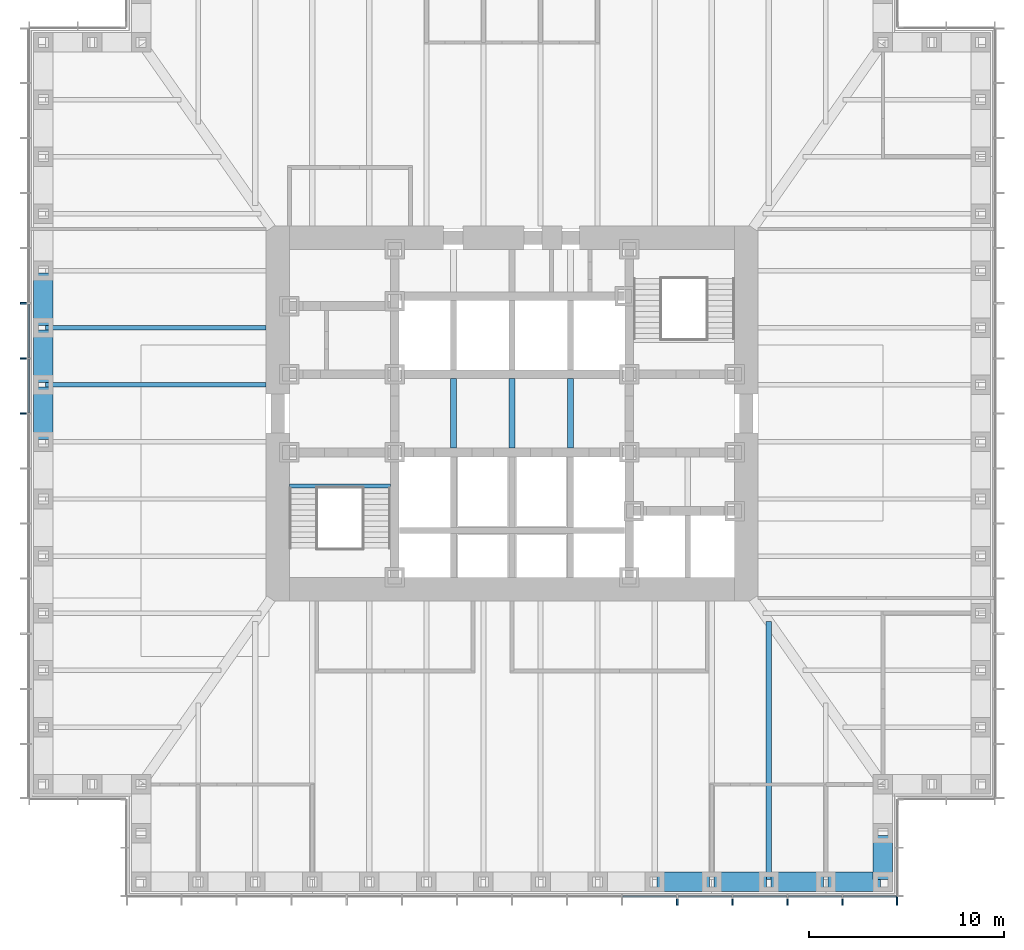
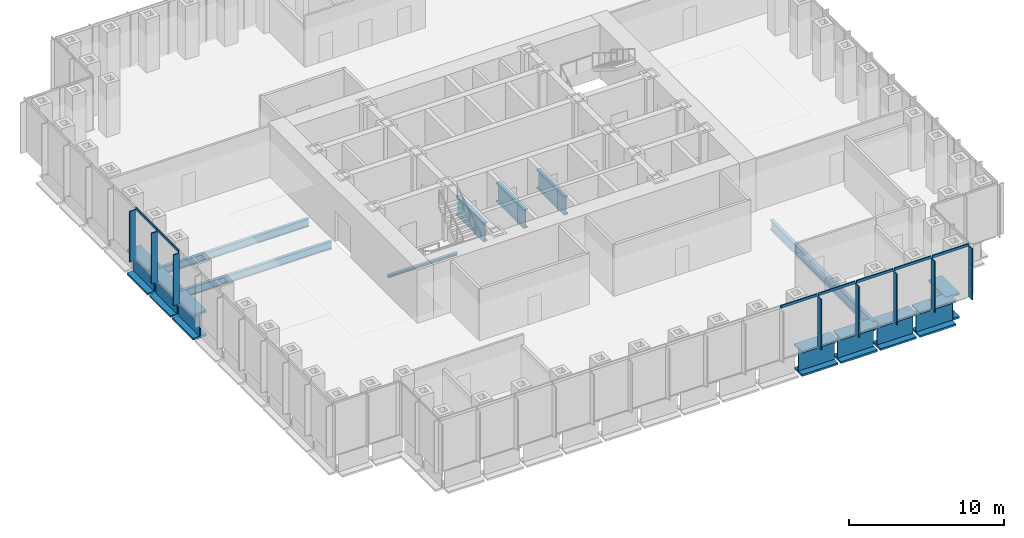
# One storey, part 3 of 16: 15 beams, 15 members, 2 elements without a shape of their own.
"""IFC4 building model written with IfcOpenShell, lengths in metres."""

from ifc_helpers import new_model, si_unit, direction, frame, origin, origin_2d, place, context, subcontext, project, spatial, rectangle, i_section, extrude, material, material_profile, profile_set, type_object, element, aggregate, save


model = new_model("IFC4")

# Units and contexts
model_context = context("Model", 3, precision=1e-05, world=origin(), true_north=direction((0.0, 1.0)))
body_context = subcontext(model_context, "Body", "Model", "MODEL_VIEW")
ifc_project = project(units=[si_unit("LENGTHUNIT", "METRE"), si_unit("AREAUNIT", "SQUARE_METRE"), si_unit("VOLUMEUNIT", "CUBIC_METRE"), si_unit("PLANEANGLEUNIT", "RADIAN"), si_unit("MASSUNIT", "GRAM", prefix="KILO")], contexts=[model_context])

# Site, building, storey
site_placement = place(None, origin())
site = spatial("IfcSite", under=ifc_project, at=site_placement, CompositionType="ELEMENT")
building_placement = place(site_placement, origin())
building = spatial("IfcBuilding", under=site, at=building_placement, Name="Daluyong Arena Tower", CompositionType="ELEMENT")
storey_placement = place(building_placement, frame((0.0, 0.0, 43.300048828125)))
storey = spatial("IfcBuildingStorey", under=building, at=storey_placement, Name="L08", CompositionType="ELEMENT", Elevation=43.300048828125)

# Curtain wall, members
ifc_material_1 = material(Name="Bronze anodised aluminium and glass", Category="aluminium")
curtain_wall_type = type_object("IfcCurtainWallType", Name="Curtain wall CW1", PredefinedType="USERDEFINED", material=ifc_material_1)
curtain_wall_1_placement = place(storey_placement, origin())
curtain_wall_1 = element("IfcCurtainWall", 1, at=curtain_wall_1_placement, inside=storey, type_object=curtain_wall_type, Name="curtain wall L08 S", ObjectType="UNITISED CURTAIN WALL", PredefinedType="USERDEFINED")
ifc_material_2 = material(Name="Bronze anodised aluminium fin", Category="aluminium")
ifc_material_profile_1 = material_profile(ifc_material_2, rectangle(XDim=0.449951171875, YDim=0.080078125, at=origin_2d()))
ifc_profile_set_1 = profile_set([ifc_material_profile_1], Name="Bronze anodised aluminium fin")
member_type_1 = type_object("IfcMemberType", Name="CW1 bronze fin 450x80", PredefinedType="MULLION", material=ifc_profile_set_1)
member_1_placement = place(storey_placement, frame((64.46435546875, 55.02490234375, 0.0), z_axis=(0.0, 0.0, 1.0), x_axis=(0.0, 1.0, 0.0)))
member_1 = element("IfcMember", 2, at=member_1_placement, type_object=member_type_1, Name="curtain wall L08 S fin 11", PredefinedType="MULLION", context=body_context, shape_type="SweptSolid", body=[
    extrude(rectangle(XDim=0.449951171875, YDim=0.080078125, at=origin_2d()), origin(), (0.0, 0.0, 1.0), 4.0),
])
member_2_placement = place(storey_placement, frame((67.28564453125, 55.02490234375, 0.0), z_axis=(0.0, 0.0, 1.0), x_axis=(0.0, 1.0, 0.0)))
member_2 = element("IfcMember", 3, at=member_2_placement, type_object=member_type_1, Name="curtain wall L08 S fin 12", PredefinedType="MULLION", context=body_context, shape_type="SweptSolid", body=[
    extrude(rectangle(XDim=0.449951171875, YDim=0.080078125, at=origin_2d()), origin(), (0.0, 0.0, 1.0), 4.0),
])
member_3_placement = place(storey_placement, frame((70.107177734375, 55.02490234375, 0.0), z_axis=(0.0, 0.0, 1.0), x_axis=(0.0, 1.0, 0.0)))
member_3 = element("IfcMember", 4, at=member_3_placement, type_object=member_type_1, Name="curtain wall L08 S fin 13", PredefinedType="MULLION", context=body_context, shape_type="SweptSolid", body=[
    extrude(rectangle(XDim=0.449951171875, YDim=0.080078125, at=origin_2d()), origin(), (0.0, 0.0, 1.0), 4.0),
])
member_4_placement = place(storey_placement, frame((72.928466796875, 55.02490234375, 0.0), z_axis=(0.0, 0.0, 1.0), x_axis=(0.0, 1.0, 0.0)))
member_4 = element("IfcMember", 5, at=member_4_placement, type_object=member_type_1, Name="curtain wall L08 S fin 14", PredefinedType="MULLION", context=body_context, shape_type="SweptSolid", body=[
    extrude(rectangle(XDim=0.449951171875, YDim=0.080078125, at=origin_2d()), origin(), (0.0, 0.0, 1.0), 4.0),
])
member_5_placement = place(storey_placement, frame((75.7099609375, 55.02490234375, 0.0), z_axis=(0.0, 0.0, 1.0), x_axis=(0.0, 1.0, 0.0)))
member_5 = element("IfcMember", 6, at=member_5_placement, type_object=member_type_1, Name="curtain wall L08 S fin 15", PredefinedType="MULLION", context=body_context, shape_type="SweptSolid", body=[
    extrude(rectangle(XDim=0.449951171875, YDim=0.080078125, at=origin_2d()), origin(), (0.0, 0.0, 1.0), 4.0),
])

curtain_wall_2_placement = place(storey_placement, origin())
curtain_wall_2 = element("IfcCurtainWall", 7, at=curtain_wall_2_placement, inside=storey, type_object=curtain_wall_type, Name="curtain wall L08 W", ObjectType="UNITISED CURTAIN WALL", PredefinedType="USERDEFINED")
member_6_placement = place(storey_placement, frame((31.02490234375, 85.642822265625, 0.0), z_axis=(0.0, 0.0, 1.0), x_axis=(1.0, 0.0, 0.0)))
member_6 = element("IfcMember", 8, at=member_6_placement, type_object=member_type_1, Name="curtain wall L08 W fin 6", PredefinedType="MULLION", context=body_context, shape_type="SweptSolid", body=[
    extrude(rectangle(XDim=0.449951171875, YDim=0.080078125, at=origin_2d()), origin(), (0.0, 0.0, 1.0), 4.0),
])
member_7_placement = place(storey_placement, frame((31.02490234375, 82.821533203125, 0.0), z_axis=(0.0, 0.0, 1.0), x_axis=(1.0, 0.0, 0.0)))
member_7 = element("IfcMember", 9, at=member_7_placement, type_object=member_type_1, Name="curtain wall L08 W fin 7", PredefinedType="MULLION", context=body_context, shape_type="SweptSolid", body=[
    extrude(rectangle(XDim=0.449951171875, YDim=0.080078125, at=origin_2d()), origin(), (0.0, 0.0, 1.0), 4.0),
])
member_8_placement = place(storey_placement, frame((31.02490234375, 80.0, 0.0), z_axis=(0.0, 0.0, 1.0), x_axis=(1.0, 0.0, 0.0)))
member_8 = element("IfcMember", 10, at=member_8_placement, type_object=member_type_1, Name="curtain wall L08 W fin 8", PredefinedType="MULLION", context=body_context, shape_type="SweptSolid", body=[
    extrude(rectangle(XDim=0.449951171875, YDim=0.080078125, at=origin_2d()), origin(), (0.0, 0.0, 1.0), 4.0),
])

# Member
ifc_material_3 = material(Name="Bronze anodised aluminium", Category="aluminium")
ifc_material_profile_2 = material_profile(ifc_material_3, rectangle(XDim=0.080078125, YDim=0.199951171875, at=origin_2d()))
ifc_profile_set_2 = profile_set([ifc_material_profile_2], Name="Bronze anodised aluminium")
member_type_2 = type_object("IfcMemberType", Name="CW1 stack transom 200x80", PredefinedType="USERDEFINED", material=ifc_profile_set_2)
member_9_placement = place(storey_placement, frame((61.682861328125, 55.25, 4.099853515625), z_axis=(1.0, 0.0, 0.0), x_axis=(0.0, 1.0, 0.0)))
member_9 = element("IfcMember", 11, at=member_9_placement, type_object=member_type_2, Name="curtain wall L08 S transom 10", ObjectType="TRANSOM", PredefinedType="USERDEFINED", context=body_context, shape_type="SweptSolid", body=[
    extrude(rectangle(XDim=0.080078125, YDim=0.199951171875, at=origin_2d()), origin(), (0.0, 0.0, 1.0), 2.741455078125),
])

member_10_placement = place(storey_placement, frame((64.50439453125, 55.25, 4.099853515625), z_axis=(1.0, 0.0, 0.0), x_axis=(0.0, 1.0, 0.0)))
member_10 = element("IfcMember", 12, at=member_10_placement, type_object=member_type_2, Name="curtain wall L08 S transom 11", ObjectType="TRANSOM", PredefinedType="USERDEFINED", context=body_context, shape_type="SweptSolid", body=[
    extrude(rectangle(XDim=0.080078125, YDim=0.199951171875, at=origin_2d()), origin(), (0.0, 0.0, 1.0), 2.7412109375),
])

member_11_placement = place(storey_placement, frame((67.32568359375, 55.25, 4.099853515625), z_axis=(1.0, 0.0, 0.0), x_axis=(0.0, 1.0, 0.0)))
member_11 = element("IfcMember", 13, at=member_11_placement, type_object=member_type_2, Name="curtain wall L08 S transom 12", ObjectType="TRANSOM", PredefinedType="USERDEFINED", context=body_context, shape_type="SweptSolid", body=[
    extrude(rectangle(XDim=0.080078125, YDim=0.199951171875, at=origin_2d()), origin(), (0.0, 0.0, 1.0), 2.741455078125),
])

member_12_placement = place(storey_placement, frame((70.147216796875, 55.25, 4.099853515625), z_axis=(1.0, 0.0, 0.0), x_axis=(0.0, 1.0, 0.0)))
member_12 = element("IfcMember", 14, at=member_12_placement, type_object=member_type_2, Name="curtain wall L08 S transom 13", ObjectType="TRANSOM", PredefinedType="USERDEFINED", context=body_context, shape_type="SweptSolid", body=[
    extrude(rectangle(XDim=0.080078125, YDim=0.199951171875, at=origin_2d()), origin(), (0.0, 0.0, 1.0), 2.741455078125),
])

member_13_placement = place(storey_placement, frame((72.968505859375, 55.25, 4.099853515625), z_axis=(1.0, 0.0, 0.0), x_axis=(0.0, 1.0, 0.0)))
member_13 = element("IfcMember", 15, at=member_13_placement, type_object=member_type_2, Name="curtain wall L08 S transom 14", ObjectType="TRANSOM", PredefinedType="USERDEFINED", context=body_context, shape_type="SweptSolid", body=[
    extrude(rectangle(XDim=0.080078125, YDim=0.199951171875, at=origin_2d()), origin(), (0.0, 0.0, 1.0), 2.701416015625),
])

aggregate(curtain_wall_1, [member_1, member_2, member_3, member_4, member_5, member_9, member_10, member_11, member_12, member_13])

member_14_placement = place(storey_placement, frame((31.25, 85.602783203125, 4.099853515625), z_axis=(0.0, -1.0, 0.0), x_axis=(1.0, 0.0, 0.0)))
member_14 = element("IfcMember", 16, at=member_14_placement, type_object=member_type_2, Name="curtain wall L08 W transom 6", ObjectType="TRANSOM", PredefinedType="USERDEFINED", context=body_context, shape_type="SweptSolid", body=[
    extrude(rectangle(XDim=0.080078125, YDim=0.199951171875, at=origin_2d()), origin(), (0.0, 0.0, 1.0), 2.741455078125),
])

member_15_placement = place(storey_placement, frame((31.25, 82.781494140625, 4.099853515625), z_axis=(0.0, -1.0, 0.0), x_axis=(1.0, 0.0, 0.0)))
member_15 = element("IfcMember", 17, at=member_15_placement, type_object=member_type_2, Name="curtain wall L08 W transom 7", ObjectType="TRANSOM", PredefinedType="USERDEFINED", context=body_context, shape_type="SweptSolid", body=[
    extrude(rectangle(XDim=0.080078125, YDim=0.199951171875, at=origin_2d()), origin(), (0.0, 0.0, 1.0), 2.741455078125),
])

aggregate(curtain_wall_2, [member_6, member_7, member_8, member_14, member_15])

# Beams
ifc_material_4 = material(Name="Steel ASTM A992 Grade 50", Category="steel")
ifc_material_profile_3 = material_profile(ifc_material_4, i_section(OverallWidth=0.22900390625, OverallDepth=0.612060546875, WebThickness=0.011962890625, FlangeThickness=0.01953125, at=origin_2d()))
ifc_profile_set_3 = profile_set([ifc_material_profile_3], Name="Steel ASTM A992 Grade 50")
beam_type_1 = type_object("IfcBeamType", Name="Floor beam W24X84", PredefinedType="BEAM", material=ifc_profile_set_3)
for number, where, z_axis, x_axis, name in (
    (18, (32.114990234375, 84.384521484375, -0.466064453125), (1.0, 0.0, 0.0), (0.0, 1.0, 0.0), "floor beam FB3"),
    (19, (32.114990234375, 81.46142578125, -0.466064453125), (1.0, 0.0, 0.0), (0.0, 1.0, 0.0), "floor beam FB3"),
):
    element("IfcBeam", number, at=place(storey_placement, frame(where, z_axis=z_axis, x_axis=x_axis)), inside=storey, type_object=beam_type_1, Name=name, PredefinedType="BEAM", context=body_context, shape_type="SweptSolid", body=[
        extrude(i_section(OverallWidth=0.22900390625, OverallDepth=0.612060546875, WebThickness=0.011962890625, FlangeThickness=0.01953125, at=origin_2d()), origin(), (0.0, 0.0, 1.0), 11.284912109375),
    ])
ifc_material_5 = material(Name="Steel ASTM A992 Grade 50", Category="steel")
ifc_material_profile_4 = material_profile(ifc_material_5, i_section(OverallWidth=0.2666015625, OverallDepth=0.761962890625, WebThickness=0.014404296875, FlangeThickness=0.021484375, at=origin_2d()))
ifc_profile_set_4 = profile_set([ifc_material_profile_4], Name="Steel ASTM A992 Grade 50")
beam_type_2 = type_object("IfcBeamType", Name="Floor beam W30X116", PredefinedType="BEAM", material=ifc_profile_set_4)
beam_1_placement = place(storey_placement, frame((69.15380859375, 56.114990234375, -0.541015625), z_axis=(0.0, 1.0, 0.0), x_axis=(-1.0, 0.0, 0.0)))
element("IfcBeam", 20, at=beam_1_placement, inside=storey, type_object=beam_type_2, Name="floor beam FB4", PredefinedType="BEAM", context=body_context, shape_type="SweptSolid", body=[
    extrude(i_section(OverallWidth=0.2666015625, OverallDepth=0.761962890625, WebThickness=0.014404296875, FlangeThickness=0.021484375, at=origin_2d()), origin(), (0.0, 0.0, 1.0), 13.236572265625),
])
ifc_material_6 = material(Name="Steel ASTM A572 Grade 50", Category="steel")
ifc_material_profile_5 = material_profile(ifc_material_6, i_section(OverallWidth=0.300048828125, OverallDepth=1.5, WebThickness=0.04, FlangeThickness=0.1, at=origin_2d()))
ifc_profile_set_5 = profile_set([ifc_material_profile_5], Name="Steel ASTM A572 Grade 50")
beam_type_3 = type_object("IfcBeamType", Name="Lift divider beam PG1500X300", PredefinedType="BEAM", material=ifc_profile_set_5)
for number, where, z_axis, x_axis, name in (
    (21, (53.0, 78.22509765625, -0.91015625), (0.0, 1.0, 0.0), (-1.0, 0.0, 0.0), "lift divider beam DB2"),
    (22, (56.0, 78.22509765625, -0.91015625), (0.0, 1.0, 0.0), (-1.0, 0.0, 0.0), "lift divider beam DB2"),
    (23, (59.0, 78.22509765625, -0.91015625), (0.0, 1.0, 0.0), (-1.0, 0.0, 0.0), "lift divider beam DB2"),
):
    element("IfcBeam", number, at=place(storey_placement, frame(where, z_axis=z_axis, x_axis=x_axis)), inside=storey, type_object=beam_type_3, Name=name, PredefinedType="BEAM", context=body_context, shape_type="SweptSolid", body=[
        extrude(i_section(OverallWidth=0.300048828125, OverallDepth=1.5, WebThickness=0.04, FlangeThickness=0.1, at=origin_2d()), origin(), (0.0, 0.0, 1.0), 3.5498046875),
    ])
ifc_material_7 = material(Name="Steel ASTM A588 Grade 50", Category="steel")
ifc_material_profile_6 = material_profile(ifc_material_7, i_section(OverallWidth=1.0, OverallDepth=2.0, WebThickness=0.06, FlangeThickness=0.15, at=origin_2d()))
ifc_profile_set_6 = profile_set([ifc_material_profile_6], Name="Steel ASTM A588 Grade 50")
beam_type_4 = type_object("IfcBeamType", Name="Spandrel Z1 PG2000X1000", PredefinedType="SPANDREL", material=ifc_profile_set_6)
for number, where, z_axis, x_axis, name in (
    (24, (63.422607421875, 56.0, -1.16015625), (1.0, 0.0, 0.0), (0.0, 1.0, 0.0), "spandrel z1 SB2"),
    (25, (66.345703125, 56.0, -1.16015625), (1.0, 0.0, 0.0), (0.0, 1.0, 0.0), "spandrel z1 SB2"),
    (26, (69.268798828125, 56.0, -1.16015625), (1.0, 0.0, 0.0), (0.0, 1.0, 0.0), "spandrel z1 SB2"),
    (27, (72.19189453125, 56.0, -1.16015625), (1.0, 0.0, 0.0), (0.0, 1.0, 0.0), "spandrel z1 SB2"),
):
    element("IfcBeam", number, at=place(storey_placement, frame(where, z_axis=z_axis, x_axis=x_axis)), inside=storey, type_object=beam_type_4, Name=name, PredefinedType="SPANDREL", context=body_context, shape_type="SweptSolid", body=[
        extrude(i_section(OverallWidth=1.0, OverallDepth=2.0, WebThickness=0.06, FlangeThickness=0.15, at=origin_2d()), origin(), (0.0, 0.0, 1.0), 2.693115234375),
    ])
beam_2_placement = place(storey_placement, frame((75.0, 56.114990234375, -1.16015625), z_axis=(0.0, 1.0, 0.0), x_axis=(-1.0, 0.0, 0.0)))
element("IfcBeam", 28, at=beam_2_placement, inside=storey, type_object=beam_type_4, Name="spandrel z1 SB2", PredefinedType="SPANDREL", context=body_context, shape_type="SweptSolid", body=[
    extrude(i_section(OverallWidth=1.0, OverallDepth=2.0, WebThickness=0.06, FlangeThickness=0.15, at=origin_2d()), origin(), (0.0, 0.0, 1.0), 2.27001953125),
])
for number, where, z_axis, x_axis, name in (
    (29, (32.0, 87.192626953125, -1.16015625), (0.0, -1.0, 0.0), (1.0, 0.0, 0.0), "spandrel z1 SB2"),
    (30, (32.0, 84.26953125, -1.16015625), (0.0, -1.0, 0.0), (1.0, 0.0, 0.0), "spandrel z1 SB2"),
):
    element("IfcBeam", number, at=place(storey_placement, frame(where, z_axis=z_axis, x_axis=x_axis)), inside=storey, type_object=beam_type_4, Name=name, PredefinedType="SPANDREL", context=body_context, shape_type="SweptSolid", body=[
        extrude(i_section(OverallWidth=1.0, OverallDepth=2.0, WebThickness=0.06, FlangeThickness=0.15, at=origin_2d()), origin(), (0.0, 0.0, 1.0), 2.693115234375),
    ])
beam_3_placement = place(storey_placement, frame((32.0, 81.346435546875, -1.16015625), z_axis=(0.0, -1.0, 0.0), x_axis=(1.0, 0.0, 0.0)))
element("IfcBeam", 31, at=beam_3_placement, inside=storey, type_object=beam_type_4, Name="spandrel z1 SB2", PredefinedType="SPANDREL", context=body_context, shape_type="SweptSolid", body=[
    extrude(i_section(OverallWidth=1.0, OverallDepth=2.0, WebThickness=0.06, FlangeThickness=0.15, at=origin_2d()), origin(), (0.0, 0.0, 1.0), 2.69287109375),
])
ifc_material_8 = material(Name="Steel ASTM A992 Grade 50", Category="steel")
ifc_material_profile_7 = material_profile(ifc_material_8, i_section(OverallWidth=0.203125, OverallDepth=0.203125, WebThickness=0.00732421875, FlangeThickness=0.010986328125, at=origin_2d()))
ifc_profile_set_7 = profile_set([ifc_material_profile_7], Name="Steel ASTM A992 Grade 50")
beam_type_5 = type_object("IfcBeamType", Name="Stair landing beam W8X31", PredefinedType="BEAM", material=ifc_profile_set_7)
beam_4_placement = place(storey_placement, frame((44.60009765625, 76.276611328125, -0.26171875), z_axis=(1.0, 0.0, 0.0), x_axis=(0.0, 1.0, 0.0)))
element("IfcBeam", 32, at=beam_4_placement, inside=storey, type_object=beam_type_5, Name="exit stair A landing beam", PredefinedType="BEAM", context=body_context, shape_type="SweptSolid", body=[
    extrude(i_section(OverallWidth=0.203125, OverallDepth=0.203125, WebThickness=0.00732421875, FlangeThickness=0.010986328125, at=origin_2d()), origin(), (0.0, 0.0, 1.0), 5.1748046875),
])

save(model, "model.ifc")
